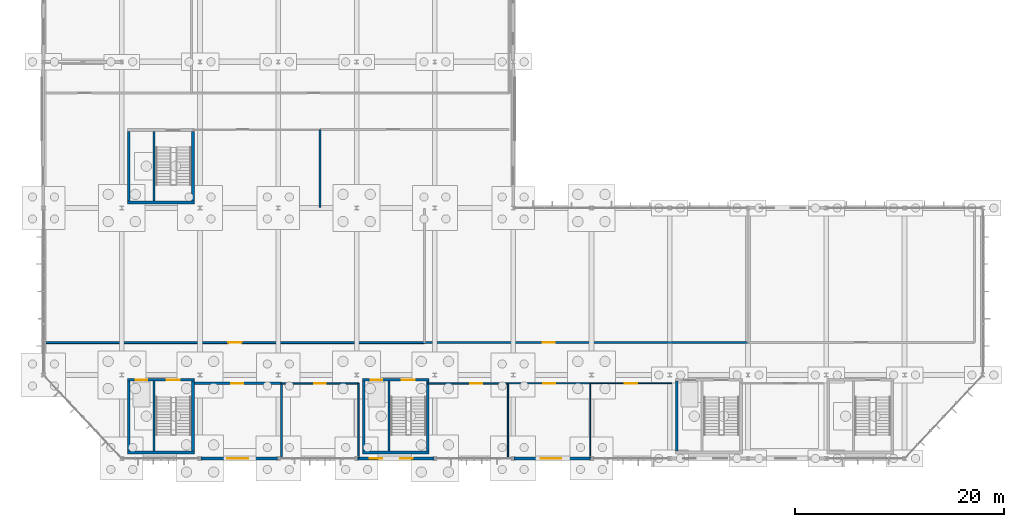
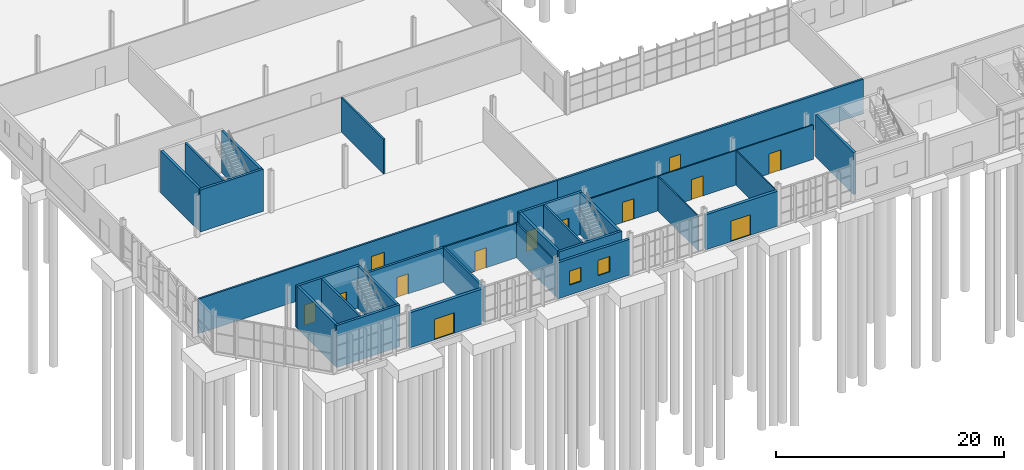
# One storey, part 106 of 136: 30 walls, 13 doors, 2 windows, 15 openings.
"""IFC4 building model written with IfcOpenShell, lengths in metres."""

from ifc_helpers import new_model, si_unit, direction, frame, frame_2d, origin, place, context, subcontext, project, spatial, rectangle, extrude, material, layer, layer_set, type_object, element, fill, save


model = new_model("IFC4")

# Units and contexts
model_context = context("Model", 3, precision=1e-05, world=origin(), true_north=direction((0.0, 1.0)))
body_context = subcontext(model_context, "Body", "Model", "MODEL_VIEW")
ifc_project = project(units=[si_unit("LENGTHUNIT", "METRE"), si_unit("AREAUNIT", "SQUARE_METRE"), si_unit("VOLUMEUNIT", "CUBIC_METRE"), si_unit("PLANEANGLEUNIT", "RADIAN"), si_unit("MASSUNIT", "GRAM", prefix="KILO")], contexts=[model_context])

# Site, building, storey
site_placement = place(None, origin())
site = spatial("IfcSite", under=ifc_project, at=site_placement, CompositionType="ELEMENT")
building_placement = place(site_placement, origin())
building = spatial("IfcBuilding", under=site, at=building_placement, Name="Solvenia Promenade Tram Depot", CompositionType="ELEMENT")
storey_placement = place(building_placement, origin())
storey = spatial("IfcBuildingStorey", under=building, at=storey_placement, Name="L00", CompositionType="ELEMENT", Elevation=0.0)

# Wall
ifc_material_1 = material(Name="Concrete C28/35", Category="concrete")
ifc_layer_1 = layer(ifc_material_1, 0.25, Name="Concrete C28/35", Category="concrete")
ifc_layer_set_1 = layer_set([ifc_layer_1], Name="Concrete C28/35")
wall_type_1 = type_object("IfcWallType", Name="Wall-Core-250", PredefinedType="SHEAR", material=ifc_layer_set_1)
wall_1_placement = place(storey_placement, frame((8.050048828125, 0.574951171875, 0.0), z_axis=(0.0, 0.0, 1.0), x_axis=(1.0, 0.0, 0.0)))
element("IfcWall", 1, at=wall_1_placement, inside=storey, type_object=wall_type_1, Name="Core C1 Shear Wall WC-C1-L00-S", PredefinedType="SHEAR", context=body_context, shape_type="SweptSolid", body=[
    extrude(rectangle(XDim=6.39990234375, YDim=0.25, at=frame_2d((3.199951171875, 0.0))), origin(), (0.0, 0.0, 1.0), 4.5),
])

# Wall, openings, doors
wall_2_placement = place(storey_placement, frame((8.050048828125, 7.52490234375, 0.0), z_axis=(0.0, 0.0, 1.0), x_axis=(1.0, 0.0, 0.0)))
wall_2 = element("IfcWall", 2, at=wall_2_placement, inside=storey, type_object=wall_type_1, Name="Core C1 Shear Wall WC-C1-L00-N", PredefinedType="SHEAR", context=body_context, shape_type="SweptSolid", body=[
    extrude(rectangle(XDim=6.39990234375, YDim=0.25, at=frame_2d((3.199951171875, 0.0))), origin(), (0.0, 0.0, 1.0), 4.5),
])
opening_1_placement = place(wall_2_placement, frame((0.800048828125, 0.0, 0.0)))
opening_1 = element("IfcOpeningElement", 3, at=opening_1_placement, cuts=wall_2, Name="Opening LD-01", PredefinedType="OPENING", context=body_context, shape_type="SweptSolid", body=[
    extrude(rectangle(XDim=1.10009765625, YDim=2.14990234375, at=frame_2d((0.550048828125, 1.074951171875))), frame((0.0, 0.135009765625, 0.0), z_axis=(0.0, -1.0, 0.0), x_axis=(1.0, 0.0, 0.0)), (0.0, 0.0, 1.0), 0.27001953125),
])
opening_2_placement = place(wall_2_placement, frame((3.77490234375, 0.0, 0.0)))
opening_2 = element("IfcOpeningElement", 4, at=opening_2_placement, cuts=wall_2, Name="Opening D-FD90", PredefinedType="OPENING", context=body_context, shape_type="SweptSolid", body=[
    extrude(rectangle(XDim=1.25, YDim=2.14990234375, at=frame_2d((0.625, 1.074951171875))), frame((0.0, 0.135009765625, 0.0), z_axis=(0.0, -1.0, 0.0), x_axis=(1.0, 0.0, 0.0)), (0.0, 0.0, 1.0), 0.27001953125),
])
ifc_material_2 = material(Name="Galvanized painted sheet steel", Category="steel")
door_type_1 = type_object("IfcDoorType", Name="Door-Lift-Pass-1100", OperationType="DOUBLE_DOOR_SLIDING", PredefinedType="DOOR", material=ifc_material_2)
door_1_placement = place(opening_1_placement, origin())
door_1 = element("IfcDoor", 5, at=door_1_placement, inside=storey, type_object=door_type_1, Name="Lift Landing Door LF-01 L00", OperationType="DOUBLE_DOOR_SLIDING", OverallHeight=2.14990234375, OverallWidth=1.10009765625, PredefinedType="DOOR", context=body_context, shape_type="SweptSolid", body=[
    extrude(rectangle(XDim=1.10009765625, YDim=2.14990234375, at=frame_2d((0.550048828125, 1.074951171875))), frame((0.0, 0.02490234375, 0.0), z_axis=(0.0, -1.0, 0.0), x_axis=(1.0, 0.0, 0.0)), (0.0, 0.0, 1.0), 0.050048828125),
])
fill(opening_1, door_1)
door_type_2 = type_object("IfcDoorType", Name="Door-Stair-FD90", OperationType="NOTDEFINED", PredefinedType="DOOR", material=ifc_material_2)
door_2_placement = place(opening_2_placement, origin())
door_2 = element("IfcDoor", 6, at=door_2_placement, inside=storey, type_object=door_type_2, Name="Exit Stair Door C1 L00", OperationType="SINGLE_SWING_LEFT", OverallHeight=2.14990234375, OverallWidth=1.25, PredefinedType="DOOR", context=body_context, shape_type="SweptSolid", body=[
    extrude(rectangle(XDim=1.25, YDim=2.14990234375, at=frame_2d((0.625, 1.074951171875))), frame((0.0, 0.02490234375, 0.0), z_axis=(0.0, -1.0, 0.0), x_axis=(1.0, 0.0, 0.0)), (0.0, 0.0, 1.0), 0.050048828125),
])
fill(opening_2, door_2)

# Walls
for number, where, z_axis, x_axis, name in (
    (7, (8.175048828125, 0.699951171875, 0.0), (0.0, 0.0, 1.0), (0.0, 1.0, 0.0), "Core C1 Shear Wall WC-C1-L00-W"),
    (8, (14.324951171875, 0.699951171875, 0.0), (0.0, 0.0, 1.0), (0.0, 1.0, 0.0), "Core C1 Shear Wall WC-C1-L00-E"),
):
    element("IfcWall", number, at=place(storey_placement, frame(where, z_axis=z_axis, x_axis=x_axis)), inside=storey, type_object=wall_type_1, Name=name, PredefinedType="SHEAR", context=body_context, shape_type="SweptSolid", body=[
        extrude(rectangle(XDim=6.699951171875, YDim=0.25, at=frame_2d((3.35009765625, 0.0))), origin(), (0.0, 0.0, 1.0), 4.5),
    ])
wall_3_placement = place(storey_placement, frame((30.550048828125, 0.574951171875, 0.0), z_axis=(0.0, 0.0, 1.0), x_axis=(1.0, 0.0, 0.0)))
element("IfcWall", 9, at=wall_3_placement, inside=storey, type_object=wall_type_1, Name="Core C2 Shear Wall WC-C2-L00-S", PredefinedType="SHEAR", context=body_context, shape_type="SweptSolid", body=[
    extrude(rectangle(XDim=6.39990234375, YDim=0.25, at=frame_2d((3.199951171875, 0.0))), origin(), (0.0, 0.0, 1.0), 4.5),
])

# Wall, openings, doors
wall_4_placement = place(storey_placement, frame((30.550048828125, 7.52490234375, 0.0), z_axis=(0.0, 0.0, 1.0), x_axis=(1.0, 0.0, 0.0)))
wall_4 = element("IfcWall", 10, at=wall_4_placement, inside=storey, type_object=wall_type_1, Name="Core C2 Shear Wall WC-C2-L00-N", PredefinedType="SHEAR", context=body_context, shape_type="SweptSolid", body=[
    extrude(rectangle(XDim=6.39990234375, YDim=0.25, at=frame_2d((3.199951171875, 0.0))), origin(), (0.0, 0.0, 1.0), 4.5),
])
opening_3_placement = place(wall_4_placement, frame((0.800048828125, 0.0, 0.0)))
opening_3 = element("IfcOpeningElement", 11, at=opening_3_placement, cuts=wall_4, Name="Opening LD-02", PredefinedType="OPENING", context=body_context, shape_type="SweptSolid", body=[
    extrude(rectangle(XDim=1.10009765625, YDim=2.14990234375, at=frame_2d((0.550048828125, 1.074951171875))), frame((0.0, 0.135009765625, 0.0), z_axis=(0.0, -1.0, 0.0), x_axis=(1.0, 0.0, 0.0)), (0.0, 0.0, 1.0), 0.27001953125),
])
opening_4_placement = place(wall_4_placement, frame((3.77490234375, 0.0, 0.0)))
opening_4 = element("IfcOpeningElement", 12, at=opening_4_placement, cuts=wall_4, Name="Opening D-FD90", PredefinedType="OPENING", context=body_context, shape_type="SweptSolid", body=[
    extrude(rectangle(XDim=1.25, YDim=2.14990234375, at=frame_2d((0.625, 1.074951171875))), frame((0.0, 0.135009765625, 0.0), z_axis=(0.0, -1.0, 0.0), x_axis=(1.0, 0.0, 0.0)), (0.0, 0.0, 1.0), 0.27001953125),
])
door_3_placement = place(opening_3_placement, origin())
door_3 = element("IfcDoor", 13, at=door_3_placement, inside=storey, type_object=door_type_1, Name="Lift Landing Door LF-02 L00", OperationType="DOUBLE_DOOR_SLIDING", OverallHeight=2.14990234375, OverallWidth=1.10009765625, PredefinedType="DOOR", context=body_context, shape_type="SweptSolid", body=[
    extrude(rectangle(XDim=1.10009765625, YDim=2.14990234375, at=frame_2d((0.550048828125, 1.074951171875))), frame((0.0, 0.02490234375, 0.0), z_axis=(0.0, -1.0, 0.0), x_axis=(1.0, 0.0, 0.0)), (0.0, 0.0, 1.0), 0.050048828125),
])
fill(opening_3, door_3)
door_4_placement = place(opening_4_placement, origin())
door_4 = element("IfcDoor", 14, at=door_4_placement, inside=storey, type_object=door_type_2, Name="Exit Stair Door C2 L00", OperationType="SINGLE_SWING_RIGHT", OverallHeight=2.14990234375, OverallWidth=1.25, PredefinedType="DOOR", context=body_context, shape_type="SweptSolid", body=[
    extrude(rectangle(XDim=1.25, YDim=2.14990234375, at=frame_2d((0.625, 1.074951171875))), frame((0.0, 0.02490234375, 0.0), z_axis=(0.0, -1.0, 0.0), x_axis=(1.0, 0.0, 0.0)), (0.0, 0.0, 1.0), 0.050048828125),
])
fill(opening_4, door_4)

# Walls
for number, where, z_axis, x_axis, name in (
    (15, (30.675048828125, 0.699951171875, 0.0), (0.0, 0.0, 1.0), (0.0, 1.0, 0.0), "Core C2 Shear Wall WC-C2-L00-W"),
    (16, (36.824951171875, 0.699951171875, 0.0), (0.0, 0.0, 1.0), (0.0, 1.0, 0.0), "Core C2 Shear Wall WC-C2-L00-E"),
    (17, (60.675048828125, 0.699951171875, 0.0), (0.0, 0.0, 1.0), (0.0, 1.0, 0.0), "Core C3 Shear Wall WC-C3-L00-W"),
):
    element("IfcWall", number, at=place(storey_placement, frame(where, z_axis=z_axis, x_axis=x_axis)), inside=storey, type_object=wall_type_1, Name=name, PredefinedType="SHEAR", context=body_context, shape_type="SweptSolid", body=[
        extrude(rectangle(XDim=6.699951171875, YDim=0.25, at=frame_2d((3.35009765625, 0.0))), origin(), (0.0, 0.0, 1.0), 4.5),
    ])
wall_5_placement = place(storey_placement, frame((8.050048828125, 24.52490234375, 0.0), z_axis=(0.0, 0.0, 1.0), x_axis=(1.0, 0.0, 0.0)))
element("IfcWall", 18, at=wall_5_placement, inside=storey, type_object=wall_type_1, Name="Core C7 Shear Wall WC-C7-L00-S", PredefinedType="SHEAR", context=body_context, shape_type="SweptSolid", body=[
    extrude(rectangle(XDim=6.39990234375, YDim=0.25, at=frame_2d((3.199951171875, 0.0))), origin(), (0.0, 0.0, 1.0), 4.5),
])
for number, where, z_axis, x_axis, name in (
    (19, (8.175048828125, 24.64990234375, 0.0), (0.0, 0.0, 1.0), (0.0, 1.0, 0.0), "Core C7 Shear Wall WC-C7-L00-W"),
    (20, (14.324951171875, 24.64990234375, 0.0), (0.0, 0.0, 1.0), (0.0, 1.0, 0.0), "Core C7 Shear Wall WC-C7-L00-E"),
):
    element("IfcWall", number, at=place(storey_placement, frame(where, z_axis=z_axis, x_axis=x_axis)), inside=storey, type_object=wall_type_1, Name=name, PredefinedType="SHEAR", context=body_context, shape_type="SweptSolid", body=[
        extrude(rectangle(XDim=6.7001953125, YDim=0.25, at=frame_2d((3.35009765625, 0.0))), origin(), (0.0, 0.0, 1.0), 4.5),
    ])
ifc_material_3 = material(Name="Concrete blockwork masonry", Category="masonry")
ifc_layer_2 = layer(ifc_material_3, 0.195068359375, Name="Concrete blockwork masonry", Category="masonry")
ifc_layer_set_2 = layer_set([ifc_layer_2], Name="Concrete blockwork masonry")
wall_type_2 = type_object("IfcWallType", Name="Wall-Fire-195", PredefinedType="PARTITIONING", material=ifc_layer_set_2)
wall_6_placement = place(storey_placement, frame((22.800048828125, 0.080078125, 0.0), z_axis=(0.0, 0.0, 1.0), x_axis=(0.0, 1.0, 0.0)))
element("IfcWall", 21, at=wall_6_placement, inside=storey, type_object=wall_type_2, Name="Fire Command and Security Room Dividing Wall WP-L00-028", PredefinedType="PARTITIONING", context=body_context, shape_type="SweptSolid", body=[
    extrude(rectangle(XDim=7.119873046875, YDim=0.195068359375, at=frame_2d((3.56005859375, 0.0))), origin(), (0.0, 0.0, 1.0), 3.699951171875),
])

# Wall, opening, door
ifc_layer_3 = layer(ifc_material_3, 0.215087890625, Name="Concrete blockwork masonry", Category="masonry")
ifc_layer_set_3 = layer_set([ifc_layer_3], Name="Concrete blockwork masonry")
wall_type_3 = type_object("IfcWallType", Name="Wall-Fire-215", PredefinedType="PARTITIONING", material=ifc_layer_set_3)
wall_7_placement = place(storey_placement, frame((14.324951171875, 7.199951171875, 0.0), z_axis=(0.0, 0.0, 1.0), x_axis=(1.0, 0.0, 0.0)))
wall_7 = element("IfcWall", 22, at=wall_7_placement, inside=storey, type_object=wall_type_3, Name="Fire Command and Security Room Partition WP-L00-027", PredefinedType="PARTITIONING", context=body_context, shape_type="SweptSolid", body=[
    extrude(rectangle(XDim=8.47509765625, YDim=0.215087890625, at=frame_2d((4.237548828125, 0.0))), origin(), (0.0, 0.0, 1.0), 3.699951171875),
])
opening_5_placement = place(wall_7_placement, frame((3.6630859375, 0.0, 0.0)))
opening_5 = element("IfcOpeningElement", 23, at=opening_5_placement, cuts=wall_7, Name="Opening D-FD60", PredefinedType="OPENING", context=body_context, shape_type="SweptSolid", body=[
    extrude(rectangle(XDim=1.14990234375, YDim=2.14990234375, at=frame_2d((0.574951171875, 1.074951171875))), frame((0.0, 0.117431640625, 0.0), z_axis=(0.0, -1.0, 0.0), x_axis=(1.0, 0.0, 0.0)), (0.0, 0.0, 1.0), 0.235107421875),
])
door_type_3 = type_object("IfcDoorType", Name="Door-Fire-FD60", OperationType="NOTDEFINED", PredefinedType="DOOR", material=ifc_material_2)
door_5_placement = place(opening_5_placement, origin())
door_5 = element("IfcDoor", 24, at=door_5_placement, inside=storey, type_object=door_type_3, Name="Door to Fire Command and Security Room", OperationType="SINGLE_SWING_LEFT", OverallHeight=2.14990234375, OverallWidth=1.14990234375, PredefinedType="DOOR", context=body_context, shape_type="SweptSolid", body=[
    extrude(rectangle(XDim=1.14990234375, YDim=2.14990234375, at=frame_2d((0.574951171875, 1.074951171875))), frame((0.0, 0.02490234375, 0.0), z_axis=(0.0, -1.0, 0.0), x_axis=(1.0, 0.0, 0.0)), (0.0, 0.0, 1.0), 0.050048828125),
])
fill(opening_5, door_5)

wall_8_placement = place(storey_placement, frame((36.5, 11.10009765625, 0.0), z_axis=(0.0, 0.0, 1.0), x_axis=(1.0, 0.0, 0.0)))
wall_8 = element("IfcWall", 25, at=wall_8_placement, inside=storey, type_object=wall_type_3, Name="Traction Power Substation Partition WP-L00-039", PredefinedType="PARTITIONING", context=body_context, shape_type="SweptSolid", body=[
    extrude(rectangle(XDim=31.0, YDim=0.215087890625, at=frame_2d((15.5, 0.0))), origin(), (0.0, 0.0, 1.0), 3.699951171875),
])
opening_6_placement = place(wall_8_placement, frame((11.343017578125, 0.0, 0.0)))
opening_6 = element("IfcOpeningElement", 26, at=opening_6_placement, cuts=wall_8, Name="Opening D-FD60", PredefinedType="OPENING", context=body_context, shape_type="SweptSolid", body=[
    extrude(rectangle(XDim=1.14990234375, YDim=2.14990234375, at=frame_2d((0.574951171875, 1.074951171875))), frame((0.0, 0.117431640625, 0.0), z_axis=(0.0, -1.0, 0.0), x_axis=(1.0, 0.0, 0.0)), (0.0, 0.0, 1.0), 0.235107421875),
])
door_6_placement = place(opening_6_placement, origin())
door_6 = element("IfcDoor", 27, at=door_6_placement, inside=storey, type_object=door_type_3, Name="Door to Traction Power Substation", OperationType="SINGLE_SWING_RIGHT", OverallHeight=2.14990234375, OverallWidth=1.14990234375, PredefinedType="DOOR", context=body_context, shape_type="SweptSolid", body=[
    extrude(rectangle(XDim=1.14990234375, YDim=2.14990234375, at=frame_2d((0.574951171875, 1.074951171875))), frame((0.0, 0.02490234375, 0.0), z_axis=(0.0, -1.0, 0.0), x_axis=(1.0, 0.0, 0.0)), (0.0, 0.0, 1.0), 0.050048828125),
])
fill(opening_6, door_6)

ifc_layer_4 = layer(ifc_material_3, 0.152099609375, Name="Concrete blockwork masonry", Category="masonry")
ifc_layer_set_4 = layer_set([ifc_layer_4], Name="Concrete blockwork masonry")
wall_type_4 = type_object("IfcWallType", Name="Wall-Masonry-152", PredefinedType="PARTITIONING", material=ifc_layer_set_4)
wall_9_placement = place(storey_placement, frame((22.800048828125, 7.199951171875, 0.0), z_axis=(0.0, 0.0, 1.0), x_axis=(1.0, 0.0, 0.0)))
wall_9 = element("IfcWall", 28, at=wall_9_placement, inside=storey, type_object=wall_type_4, Name="Yard Dispatch Office Partition WP-L00-029", PredefinedType="PARTITIONING", context=body_context, shape_type="SweptSolid", body=[
    extrude(rectangle(XDim=7.39990234375, YDim=0.152099609375, at=frame_2d((3.699951171875, 0.0))), origin(), (0.0, 0.0, 1.0), 3.699951171875),
])
opening_7_placement = place(wall_9_placement, frame((3.139892578125, 0.0, 0.0)))
opening_7 = element("IfcOpeningElement", 29, at=opening_7_placement, cuts=wall_9, Name="Opening DR-18", PredefinedType="OPENING", context=body_context, shape_type="SweptSolid", body=[
    extrude(rectangle(XDim=1.1201171875, YDim=2.139892578125, at=frame_2d((0.56005859375, 1.06982421875))), frame((0.0, 0.0859375, 0.0), z_axis=(0.0, -1.0, 0.0), x_axis=(1.0, 0.0, 0.0)), (0.0, 0.0, 1.0), 0.172119140625),
])
door_type_4 = type_object("IfcDoorType", Name="Door-Room-1120x2140", OperationType="NOTDEFINED", PredefinedType="DOOR", material=ifc_material_2)
door_7_placement = place(opening_7_placement, origin())
door_7 = element("IfcDoor", 30, at=door_7_placement, inside=storey, type_object=door_type_4, Name="Door to Yard Dispatch Office", OperationType="SINGLE_SWING_RIGHT", OverallHeight=2.139892578125, OverallWidth=1.1201171875, PredefinedType="DOOR", context=body_context, shape_type="SweptSolid", body=[
    extrude(rectangle(XDim=1.1201171875, YDim=2.139892578125, at=frame_2d((0.56005859375, 1.06982421875))), frame((0.0, 0.02490234375, 0.0), z_axis=(0.0, -1.0, 0.0), x_axis=(1.0, 0.0, 0.0)), (0.0, 0.0, 1.0), 0.050048828125),
])
fill(opening_7, door_7)

# Wall
ifc_layer_5 = layer(ifc_material_3, 0.175048828125, Name="Concrete blockwork masonry", Category="masonry")
ifc_layer_set_5 = layer_set([ifc_layer_5], Name="Concrete blockwork masonry")
wall_type_5 = type_object("IfcWallType", Name="Wall-Masonry-175", PredefinedType="PARTITIONING", material=ifc_layer_set_5)
wall_10_placement = place(storey_placement, frame((26.5, 24.080078125, 0.0), z_axis=(0.0, 0.0, 1.0), x_axis=(0.0, 1.0, 0.0)))
element("IfcWall", 31, at=wall_10_placement, inside=storey, type_object=wall_type_5, Name="Wash Plant Accessible WC Dividing Wall WP-L00-025", PredefinedType="PARTITIONING", context=body_context, shape_type="SweptSolid", body=[
    extrude(rectangle(XDim=7.419921875, YDim=0.175048828125, at=frame_2d((3.7099609375, 0.0))), origin(), (0.0, 0.0, 1.0), 3.699951171875),
])

# Wall, opening, door
ifc_layer_6 = layer(ifc_material_3, 0.18505859375, Name="Concrete blockwork masonry", Category="masonry")
ifc_layer_set_6 = layer_set([ifc_layer_6], Name="Concrete blockwork masonry")
wall_type_6 = type_object("IfcWallType", Name="Wall-Masonry-185", PredefinedType="PARTITIONING", material=ifc_layer_set_6)
wall_11_placement = place(storey_placement, frame((0.159912109375, 11.10009765625, 0.0), z_axis=(0.0, 0.0, 1.0), x_axis=(1.0, 0.0, 0.0)))
wall_11 = element("IfcWall", 32, at=wall_11_placement, inside=storey, type_object=wall_type_6, Name="Driver Sign-On Hall Partition WP-L00-037", PredefinedType="PARTITIONING", context=body_context, shape_type="SweptSolid", body=[
    extrude(rectangle(XDim=36.340087890625, YDim=0.18505859375, at=frame_2d((18.169921875, 0.0))), origin(), (0.0, 0.0, 1.0), 3.699951171875),
])
opening_8_placement = place(wall_11_placement, frame((17.52001953125, 0.0, 0.0)))
opening_8 = element("IfcOpeningElement", 33, at=opening_8_placement, cuts=wall_11, Name="Opening DR-23", PredefinedType="OPENING", context=body_context, shape_type="SweptSolid", body=[
    extrude(rectangle(XDim=1.300048828125, YDim=2.139892578125, at=frame_2d((0.64990234375, 1.06982421875))), frame((0.0, 0.1025390625, 0.0), z_axis=(0.0, -1.0, 0.0), x_axis=(1.0, 0.0, 0.0)), (0.0, 0.0, 1.0), 0.205078125),
])
door_type_5 = type_object("IfcDoorType", Name="Door-Room-1300x2140", OperationType="NOTDEFINED", PredefinedType="DOOR", material=ifc_material_2)
door_8_placement = place(opening_8_placement, origin())
door_8 = element("IfcDoor", 34, at=door_8_placement, inside=storey, type_object=door_type_5, Name="Door to Driver Sign-On Hall", OperationType="SINGLE_SWING_LEFT", OverallHeight=2.139892578125, OverallWidth=1.300048828125, PredefinedType="DOOR", context=body_context, shape_type="SweptSolid", body=[
    extrude(rectangle(XDim=1.300048828125, YDim=2.139892578125, at=frame_2d((0.64990234375, 1.06982421875))), frame((0.0, 0.02490234375, 0.0), z_axis=(0.0, -1.0, 0.0), x_axis=(1.0, 0.0, 0.0)), (0.0, 0.0, 1.0), 0.050048828125),
])
fill(opening_8, door_8)

# Wall
ifc_material_4 = material(Name="Gypsum board acoustic partition", Category="other")
ifc_layer_7 = layer(ifc_material_4, 0.10595703125, Name="Gypsum board acoustic partition", Category="other")
ifc_layer_set_7 = layer_set([ifc_layer_7], Name="Gypsum board acoustic partition")
wall_type_7 = type_object("IfcWallType", Name="Wall-Part-106", PredefinedType="PARTITIONING", material=ifc_layer_set_7)
wall_12_placement = place(storey_placement, frame((52.39990234375, 0.080078125, 0.0), z_axis=(0.0, 0.0, 1.0), x_axis=(0.0, 1.0, 0.0)))
element("IfcWall", 35, at=wall_12_placement, inside=storey, type_object=wall_type_7, Name="Ground Female Staff WC Dividing Wall WP-L00-034", PredefinedType="PARTITIONING", context=body_context, shape_type="SweptSolid", body=[
    extrude(rectangle(XDim=7.119873046875, YDim=0.10595703125, at=frame_2d((3.56005859375, 0.0))), origin(), (0.0, 0.0, 1.0), 3.699951171875),
])

# Wall, opening, door
wall_13_placement = place(storey_placement, frame((52.39990234375, 7.199951171875, 0.0), z_axis=(0.0, 0.0, 1.0), x_axis=(1.0, 0.0, 0.0)))
wall_13 = element("IfcWall", 36, at=wall_13_placement, inside=storey, type_object=wall_type_7, Name="Ground Accessible WC Partition WP-L00-035", PredefinedType="PARTITIONING", context=body_context, shape_type="SweptSolid", body=[
    extrude(rectangle(XDim=7.800048828125, YDim=0.10595703125, at=frame_2d((3.89990234375, 0.0))), origin(), (0.0, 0.0, 1.0), 3.699951171875),
])
opening_9_placement = place(wall_13_placement, frame((3.2900390625, 0.0, 0.0)))
opening_9 = element("IfcOpeningElement", 37, at=opening_9_placement, cuts=wall_13, Name="Opening DR-21", PredefinedType="OPENING", context=body_context, shape_type="SweptSolid", body=[
    extrude(rectangle(XDim=1.219970703125, YDim=2.14990234375, at=frame_2d((0.60986328125, 1.074951171875))), frame((0.0, 0.06298828125, 0.0), z_axis=(0.0, -1.0, 0.0), x_axis=(1.0, 0.0, 0.0)), (0.0, 0.0, 1.0), 0.1259765625),
])
door_type_6 = type_object("IfcDoorType", Name="Door-Room-1220x2150", OperationType="NOTDEFINED", PredefinedType="DOOR", material=ifc_material_2)
door_9_placement = place(opening_9_placement, origin())
door_9 = element("IfcDoor", 38, at=door_9_placement, inside=storey, type_object=door_type_6, Name="Door to Ground Accessible WC", OperationType="SINGLE_SWING_LEFT", OverallHeight=2.14990234375, OverallWidth=1.219970703125, PredefinedType="DOOR", context=body_context, shape_type="SweptSolid", body=[
    extrude(rectangle(XDim=1.219970703125, YDim=2.14990234375, at=frame_2d((0.60986328125, 1.074951171875))), frame((0.0, 0.02490234375, 0.0), z_axis=(0.0, -1.0, 0.0), x_axis=(1.0, 0.0, 0.0)), (0.0, 0.0, 1.0), 0.050048828125),
])
fill(opening_9, door_9)

# Wall
ifc_layer_8 = layer(ifc_material_4, 0.1220703125, Name="Gypsum board acoustic partition", Category="other")
ifc_layer_set_8 = layer_set([ifc_layer_8], Name="Gypsum board acoustic partition")
wall_type_8 = type_object("IfcWallType", Name="Wall-Part-122", PredefinedType="PARTITIONING", material=ifc_layer_set_8)
wall_14_placement = place(storey_placement, frame((44.5, 0.080078125, 0.0), z_axis=(0.0, 0.0, 1.0), x_axis=(0.0, 1.0, 0.0)))
element("IfcWall", 39, at=wall_14_placement, inside=storey, type_object=wall_type_8, Name="Ground Male Staff WC Dividing Wall WP-L00-032", PredefinedType="PARTITIONING", context=body_context, shape_type="SweptSolid", body=[
    extrude(rectangle(XDim=7.119873046875, YDim=0.1220703125, at=frame_2d((3.56005859375, 0.0))), origin(), (0.0, 0.0, 1.0), 3.699951171875),
])

# Wall, opening, door
wall_15_placement = place(storey_placement, frame((44.5, 7.199951171875, 0.0), z_axis=(0.0, 0.0, 1.0), x_axis=(1.0, 0.0, 0.0)))
wall_15 = element("IfcWall", 40, at=wall_15_placement, inside=storey, type_object=wall_type_8, Name="Ground Female Staff WC Partition WP-L00-033", PredefinedType="PARTITIONING", context=body_context, shape_type="SweptSolid", body=[
    extrude(rectangle(XDim=7.89990234375, YDim=0.1220703125, at=frame_2d((3.949951171875, 0.0))), origin(), (0.0, 0.0, 1.0), 3.699951171875),
])
opening_10_placement = place(wall_15_placement, frame((3.360107421875, 0.0, 0.0)))
opening_10 = element("IfcOpeningElement", 41, at=opening_10_placement, cuts=wall_15, Name="Opening DR-20", PredefinedType="OPENING", context=body_context, shape_type="SweptSolid", body=[
    extrude(rectangle(XDim=1.179931640625, YDim=2.139892578125, at=frame_2d((0.58984375, 1.06982421875))), frame((0.0, 0.071044921875, 0.0), z_axis=(0.0, -1.0, 0.0), x_axis=(1.0, 0.0, 0.0)), (0.0, 0.0, 1.0), 0.14208984375),
])
door_type_7 = type_object("IfcDoorType", Name="Door-Room-1180x2140", OperationType="NOTDEFINED", PredefinedType="DOOR", material=ifc_material_2)
door_10_placement = place(opening_10_placement, origin())
door_10 = element("IfcDoor", 42, at=door_10_placement, inside=storey, type_object=door_type_7, Name="Door to Ground Female Staff WC", OperationType="SINGLE_SWING_RIGHT", OverallHeight=2.139892578125, OverallWidth=1.179931640625, PredefinedType="DOOR", context=body_context, shape_type="SweptSolid", body=[
    extrude(rectangle(XDim=1.179931640625, YDim=2.139892578125, at=frame_2d((0.58984375, 1.06982421875))), frame((0.0, 0.02490234375, 0.0), z_axis=(0.0, -1.0, 0.0), x_axis=(1.0, 0.0, 0.0)), (0.0, 0.0, 1.0), 0.050048828125),
])
fill(opening_10, door_10)

# Wall
ifc_layer_9 = layer(ifc_material_4, 0.137939453125, Name="Gypsum board acoustic partition", Category="other")
ifc_layer_set_9 = layer_set([ifc_layer_9], Name="Gypsum board acoustic partition")
wall_type_9 = type_object("IfcWallType", Name="Wall-Part-138", PredefinedType="PARTITIONING", material=ifc_layer_set_9)
wall_16_placement = place(storey_placement, frame((30.199951171875, 0.080078125, 0.0), z_axis=(0.0, 0.0, 1.0), x_axis=(0.0, 1.0, 0.0)))
element("IfcWall", 43, at=wall_16_placement, inside=storey, type_object=wall_type_9, Name="Yard Dispatch Office Dividing Wall WP-L00-030", PredefinedType="PARTITIONING", context=body_context, shape_type="SweptSolid", body=[
    extrude(rectangle(XDim=7.119873046875, YDim=0.137939453125, at=frame_2d((3.56005859375, 0.0))), origin(), (0.0, 0.0, 1.0), 3.699951171875),
])

# Wall, opening, door
wall_17_placement = place(storey_placement, frame((36.824951171875, 7.199951171875, 0.0), z_axis=(0.0, 0.0, 1.0), x_axis=(1.0, 0.0, 0.0)))
wall_17 = element("IfcWall", 44, at=wall_17_placement, inside=storey, type_object=wall_type_9, Name="Ground Male Staff WC Partition WP-L00-031", PredefinedType="PARTITIONING", context=body_context, shape_type="SweptSolid", body=[
    extrude(rectangle(XDim=7.675048828125, YDim=0.137939453125, at=frame_2d((3.83740234375, 0.0))), origin(), (0.0, 0.0, 1.0), 3.699951171875),
])
opening_11_placement = place(wall_17_placement, frame((4.052001953125, 0.0, 0.0)))
opening_11 = element("IfcOpeningElement", 45, at=opening_11_placement, cuts=wall_17, Name="Opening DR-19", PredefinedType="OPENING", context=body_context, shape_type="SweptSolid", body=[
    extrude(rectangle(XDim=1.139892578125, YDim=2.159912109375, at=frame_2d((0.56982421875, 1.080078125))), frame((0.0, 0.078857421875, 0.0), z_axis=(0.0, -1.0, 0.0), x_axis=(1.0, 0.0, 0.0)), (0.0, 0.0, 1.0), 0.157958984375),
])
door_type_8 = type_object("IfcDoorType", Name="Door-Room-1140x2160", OperationType="NOTDEFINED", PredefinedType="DOOR", material=ifc_material_2)
door_11_placement = place(opening_11_placement, origin())
door_11 = element("IfcDoor", 46, at=door_11_placement, inside=storey, type_object=door_type_8, Name="Door to Ground Male Staff WC", OperationType="SINGLE_SWING_LEFT", OverallHeight=2.159912109375, OverallWidth=1.139892578125, PredefinedType="DOOR", context=body_context, shape_type="SweptSolid", body=[
    extrude(rectangle(XDim=1.139892578125, YDim=2.159912109375, at=frame_2d((0.56982421875, 1.080078125))), frame((0.0, 0.02490234375, 0.0), z_axis=(0.0, -1.0, 0.0), x_axis=(1.0, 0.0, 0.0)), (0.0, 0.0, 1.0), 0.050048828125),
])
fill(opening_11, door_11)

ifc_material_5 = material(Name="Concrete C35/45", Category="concrete")
ifc_layer_10 = layer(ifc_material_5, 0.300048828125, Name="Concrete C35/45", Category="concrete")
ifc_layer_set_10 = layer_set([ifc_layer_10], Name="Concrete C35/45")
wall_type_10 = type_object("IfcWallType", Name="Wall-Plinth-300", PredefinedType="SOLIDWALL", material=ifc_layer_set_10)
wall_18_placement = place(storey_placement, frame((15.080078125, 0.0, 0.0), z_axis=(0.0, 0.0, 1.0), x_axis=(1.0, 0.0, 0.0)))
wall_18 = element("IfcWall", 47, at=wall_18_placement, inside=storey, type_object=wall_type_10, Name="South Staff Wing Entrance Wall EW-L00-075", PredefinedType="SOLIDWALL", context=body_context, shape_type="SweptSolid", body=[
    extrude(rectangle(XDim=7.33984375, YDim=0.300048828125, at=frame_2d((3.669921875, 0.0))), origin(), (0.0, 0.0, 1.0), 3.75),
])
opening_12_placement = place(wall_18_placement, frame((2.550048828125, 0.0, 0.0)))
opening_12 = element("IfcOpeningElement", 48, at=opening_12_placement, cuts=wall_18, Name="Opening ED-07", PredefinedType="OPENING", context=body_context, shape_type="SweptSolid", body=[
    extrude(rectangle(XDim=2.0, YDim=2.199951171875, at=frame_2d((1.0, 1.10009765625))), frame((0.0, 0.159912109375, 0.0), z_axis=(0.0, -1.0, 0.0), x_axis=(1.0, 0.0, 0.0)), (0.0, 0.0, 1.0), 0.320068359375),
])
door_type_9 = type_object("IfcDoorType", Name="Door-Exit-2000x2200", OperationType="NOTDEFINED", PredefinedType="DOOR", material=ifc_material_2)
door_12_placement = place(opening_12_placement, frame((2.0, 0.0, 0.0), z_axis=(0.0, 0.0, 1.0), x_axis=(-1.0, 0.0, 0.0)))
door_12 = element("IfcDoor", 49, at=door_12_placement, inside=storey, type_object=door_type_9, Name="Pedestrian Exit Door ED-07", OperationType="SINGLE_SWING_LEFT", OverallHeight=2.199951171875, OverallWidth=2.0, PredefinedType="DOOR", context=body_context, shape_type="SweptSolid", body=[
    extrude(rectangle(XDim=2.0, YDim=2.199951171875, at=frame_2d((1.0, 1.10009765625))), frame((0.0, 0.02490234375, 0.0), z_axis=(0.0, -1.0, 0.0), x_axis=(1.0, 0.0, 0.0)), (0.0, 0.0, 1.0), 0.050048828125),
])
fill(opening_12, door_12)

wall_19_placement = place(storey_placement, frame((45.080078125, 0.0, 0.0), z_axis=(0.0, 0.0, 1.0), x_axis=(1.0, 0.0, 0.0)))
wall_19 = element("IfcWall", 50, at=wall_19_placement, inside=storey, type_object=wall_type_10, Name="South Staff Wing Entrance Wall EW-L00-077", PredefinedType="SOLIDWALL", context=body_context, shape_type="SweptSolid", body=[
    extrude(rectangle(XDim=7.33984375, YDim=0.300048828125, at=frame_2d((3.669921875, 0.0))), origin(), (0.0, 0.0, 1.0), 3.75),
])
opening_13_placement = place(wall_19_placement, frame((2.550048828125, 0.0, 0.0)))
opening_13 = element("IfcOpeningElement", 51, at=opening_13_placement, cuts=wall_19, Name="Opening ED-08", PredefinedType="OPENING", context=body_context, shape_type="SweptSolid", body=[
    extrude(rectangle(XDim=2.0, YDim=2.199951171875, at=frame_2d((1.0, 1.10009765625))), frame((0.0, 0.159912109375, 0.0), z_axis=(0.0, -1.0, 0.0), x_axis=(1.0, 0.0, 0.0)), (0.0, 0.0, 1.0), 0.320068359375),
])
door_13_placement = place(opening_13_placement, frame((2.0, 0.0, 0.0), z_axis=(0.0, 0.0, 1.0), x_axis=(-1.0, 0.0, 0.0)))
door_13 = element("IfcDoor", 52, at=door_13_placement, inside=storey, type_object=door_type_9, Name="Pedestrian Exit Door ED-08", OperationType="SINGLE_SWING_RIGHT", OverallHeight=2.199951171875, OverallWidth=2.0, PredefinedType="DOOR", context=body_context, shape_type="SweptSolid", body=[
    extrude(rectangle(XDim=2.0, YDim=2.199951171875, at=frame_2d((1.0, 1.10009765625))), frame((0.0, 0.02490234375, 0.0), z_axis=(0.0, -1.0, 0.0), x_axis=(1.0, 0.0, 0.0)), (0.0, 0.0, 1.0), 0.050048828125),
])
fill(opening_13, door_13)

# Walls
ifc_layer_11 = layer(ifc_material_1, 0.199951171875, Name="Concrete C28/35", Category="concrete")
ifc_layer_set_11 = layer_set([ifc_layer_11], Name="Concrete C28/35")
wall_type_11 = type_object("IfcWallType", Name="Wall-Shaft-200", PredefinedType="SHEAR", material=ifc_layer_set_11)
for number, where, z_axis, x_axis, name in (
    (53, (10.60009765625, 0.699951171875, 0.0), (0.0, 0.0, 1.0), (0.0, 1.0, 0.0), "Core C1 Shear Wall WC-C1-L00-DIV"),
    (54, (33.10009765625, 0.699951171875, 0.0), (0.0, 0.0, 1.0), (0.0, 1.0, 0.0), "Core C2 Shear Wall WC-C2-L00-DIV"),
):
    element("IfcWall", number, at=place(storey_placement, frame(where, z_axis=z_axis, x_axis=x_axis)), inside=storey, type_object=wall_type_11, Name=name, PredefinedType="SHEAR", context=body_context, shape_type="SweptSolid", body=[
        extrude(rectangle(XDim=6.699951171875, YDim=0.199951171875, at=frame_2d((3.35009765625, 0.0))), origin(), (0.0, 0.0, 1.0), 4.5),
    ])
wall_20_placement = place(storey_placement, frame((10.60009765625, 24.64990234375, 0.0), z_axis=(0.0, 0.0, 1.0), x_axis=(0.0, 1.0, 0.0)))
element("IfcWall", 55, at=wall_20_placement, inside=storey, type_object=wall_type_11, Name="Core C7 Shear Wall WC-C7-L00-DIV", PredefinedType="SHEAR", context=body_context, shape_type="SweptSolid", body=[
    extrude(rectangle(XDim=6.7001953125, YDim=0.199951171875, at=frame_2d((3.35009765625, 0.0))), origin(), (0.0, 0.0, 1.0), 4.5),
])

# Wall, openings, windows
ifc_layer_12 = layer(ifc_material_5, 0.264892578125, Name="Concrete C35/45", Category="concrete")
ifc_layer_set_12 = layer_set([ifc_layer_12], Name="Concrete C35/45")
wall_type_12 = type_object("IfcWallType", Name="Wall-Spandrel-265", PredefinedType="SOLIDWALL", material=ifc_layer_set_12)
wall_21_placement = place(storey_placement, frame((30.080078125, 0.0, 0.0), z_axis=(0.0, 0.0, 1.0), x_axis=(1.0, 0.0, 0.0)))
wall_21 = element("IfcWall", 56, at=wall_21_placement, inside=storey, type_object=wall_type_12, Name="L00 South Feature Pier EW-L00-076", PredefinedType="SOLIDWALL", context=body_context, shape_type="SweptSolid", body=[
    extrude(rectangle(XDim=7.33984375, YDim=0.264892578125, at=frame_2d((3.669921875, 0.0))), origin(), (0.0, 0.0, 1.0), 3.85009765625),
])
opening_14_placement = place(wall_21_placement, frame((1.199951171875, 0.0, 1.050048828125)))
opening_14 = element("IfcOpeningElement", 57, at=opening_14_placement, cuts=wall_21, Name="Opening WN-08", PredefinedType="OPENING", context=body_context, shape_type="SweptSolid", body=[
    extrude(rectangle(XDim=1.199951171875, YDim=1.5, at=frame_2d((0.60009765625, 0.75))), frame((0.0, 0.142333984375, 0.0), z_axis=(0.0, -1.0, 0.0), x_axis=(1.0, 0.0, 0.0)), (0.0, 0.0, 1.0), 0.284912109375),
])
opening_15_placement = place(wall_21_placement, frame((4.10009765625, 0.0, 1.050048828125)))
opening_15 = element("IfcOpeningElement", 58, at=opening_15_placement, cuts=wall_21, Name="Opening WN-09", PredefinedType="OPENING", context=body_context, shape_type="SweptSolid", body=[
    extrude(rectangle(XDim=1.199951171875, YDim=1.64990234375, at=frame_2d((0.60009765625, 0.824951171875))), frame((0.0, 0.142333984375, 0.0), z_axis=(0.0, -1.0, 0.0), x_axis=(1.0, 0.0, 0.0)), (0.0, 0.0, 1.0), 0.284912109375),
])
ifc_material_6 = material(Name="Double low-e argon insulated glass", Category="glass")
window_type_1 = type_object("IfcWindowType", Name="Win-1200x1500", PartitioningType="SINGLE_PANEL", PredefinedType="WINDOW", material=ifc_material_6)
window_1_placement = place(opening_14_placement, origin())
window_1 = element("IfcWindow", 59, at=window_1_placement, inside=storey, type_object=window_type_1, Name="L00 South Facade Window 008", OverallHeight=1.5, OverallWidth=1.199951171875, PartitioningType="SINGLE_PANEL", PredefinedType="WINDOW", context=body_context, shape_type="SweptSolid", body=[
    extrude(rectangle(XDim=1.199951171875, YDim=1.5, at=frame_2d((0.60009765625, 0.75))), frame((0.0, 0.030029296875, 0.0), z_axis=(0.0, -1.0, 0.0), x_axis=(1.0, 0.0, 0.0)), (0.0, 0.0, 1.0), 0.06005859375),
])
fill(opening_14, window_1)
window_type_2 = type_object("IfcWindowType", Name="Win-1200x1650", PartitioningType="SINGLE_PANEL", PredefinedType="WINDOW", material=ifc_material_6)
window_2_placement = place(opening_15_placement, origin())
window_2 = element("IfcWindow", 60, at=window_2_placement, inside=storey, type_object=window_type_2, Name="L00 South Facade Window 009", OverallHeight=1.64990234375, OverallWidth=1.199951171875, PartitioningType="SINGLE_PANEL", PredefinedType="WINDOW", context=body_context, shape_type="SweptSolid", body=[
    extrude(rectangle(XDim=1.199951171875, YDim=1.64990234375, at=frame_2d((0.60009765625, 0.824951171875))), frame((0.0, 0.030029296875, 0.0), z_axis=(0.0, -1.0, 0.0), x_axis=(1.0, 0.0, 0.0)), (0.0, 0.0, 1.0), 0.06005859375),
])
fill(opening_15, window_2)

save(model, "model.ifc")
